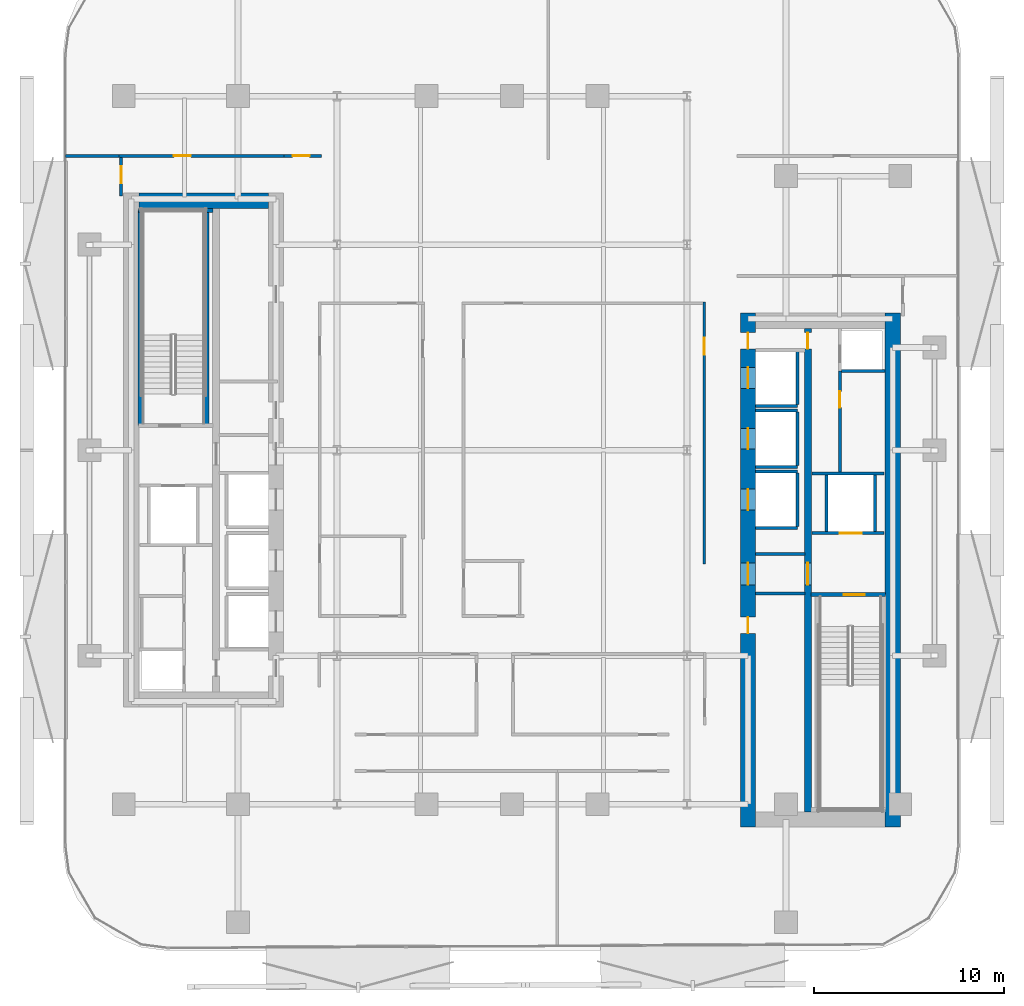
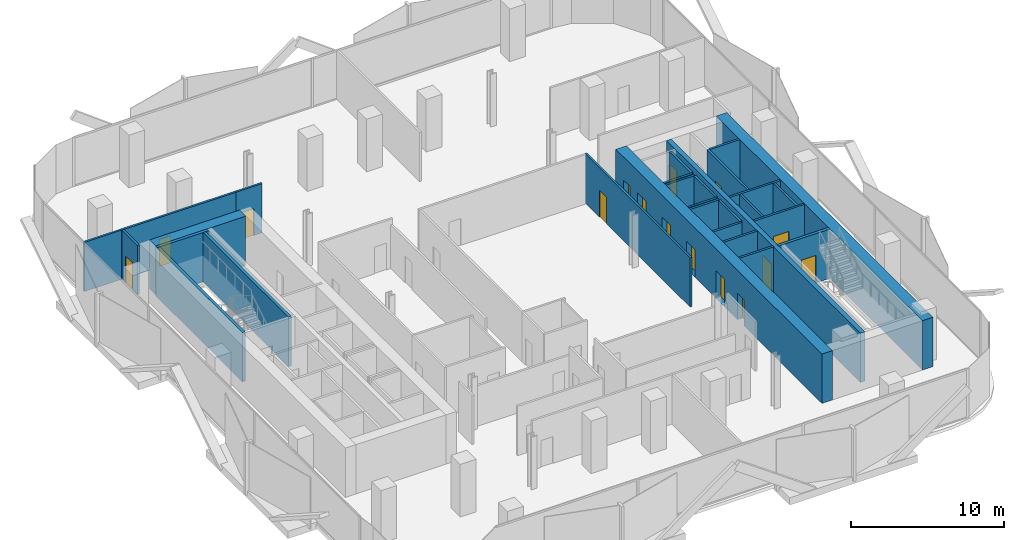
# One storey, part 5 of 15: 29 walls, 15 doors, 15 openings.
"""IFC4 building model written with IfcOpenShell, lengths in metres."""

import ifcopenshell
import ifcopenshell.guid

model = None  # the IFC model being written
_history = None  # IfcOwnerHistory: only IFC2X3 demands one
_inside = {}  # id of a spatial element -> (the spatial element, [elements in it])
_under = {}  # id of a project, library or spatial element -> (it, [spatial elements below it])
_declared = {}  # id of a project -> (the project, [libraries it declares])
_typed = {}  # id of a type object -> (the type object, [elements of that type])
_made_of = {}  # id of a material, layer set ... -> (it, [elements and type objects made of it])


def new_model(schema):
    """Start an empty IFC model of exactly this schema.

    Asked for "IFC4X3", IfcOpenShell would pick the latest addendum, in which some entities
    have other attributes; the version numbers below select the first issue.
    IFC2X3 requires an IfcOwnerHistory on every rooted entity: one is made here for all.
    """
    global model, _history
    if schema == "IFC4X3":
        model = ifcopenshell.file(schema_version=(4, 3, 0, 0))
    else:
        model = ifcopenshell.file(schema=schema)
    _inside.clear()
    _under.clear()
    _declared.clear()
    _typed.clear()
    _made_of.clear()
    _history = None
    if model.schema == "IFC2X3":
        org = make("IfcOrganization", Name="unknown")
        user = make(
            "IfcPersonAndOrganization",
            ThePerson=make("IfcPerson", FamilyName="unknown"),
            TheOrganization=org,
        )
        app = make(
            "IfcApplication",
            ApplicationDeveloper=org,
            Version="unknown",
            ApplicationFullName="unknown",
            ApplicationIdentifier="unknown",
        )
        _history = make(
            "IfcOwnerHistory",
            OwningUser=user,
            OwningApplication=app,
            ChangeAction="ADDED",
            CreationDate=0,
        )
    return model


def make(cls, **values):
    """One entity of the class cls with the attributes given. An attribute that is None is left unset."""
    return model.create_entity(
        cls, **{name: value for name, value in values.items() if value is not None}
    )


def rooted(cls, **values):
    """An entity with a GlobalId (a new one), such as an element, a storey or a relation."""
    return make(cls, GlobalId=ifcopenshell.guid.new(), OwnerHistory=_history, **values)


def si_unit(unit_type, name, prefix=None):
    """IfcSIUnit, for example si_unit("LENGTHUNIT", "METRE", prefix="MILLI")."""
    return make("IfcSIUnit", UnitType=unit_type, Prefix=prefix, Name=name)


def assignment(units):
    """IfcUnitAssignment: the units of a project."""
    return None if units is None else make("IfcUnitAssignment", Units=units)


def point(xyz):
    """IfcCartesianPoint."""
    return None if xyz is None else make("IfcCartesianPoint", Coordinates=xyz)


def direction(xyz):
    """IfcDirection."""
    return None if xyz is None else make("IfcDirection", DirectionRatios=xyz)


def frame(location, z_axis=None, x_axis=None):
    """IfcAxis2Placement3D, a coordinate frame: its origin and axes. An axis left out is left unset."""
    return make(
        "IfcAxis2Placement3D",
        Location=point(location),
        Axis=direction(z_axis),
        RefDirection=direction(x_axis),
    )


def frame_2d(location, x_axis=None):
    """IfcAxis2Placement2D, a coordinate frame in the plane: its origin and x axis."""
    return make(
        "IfcAxis2Placement2D", Location=point(location), RefDirection=direction(x_axis)
    )


def origin():
    """The frame at (0, 0, 0) with its axes left unset."""
    return frame((0.0, 0.0, 0.0))


def place(relative_to, where):
    """IfcLocalPlacement: puts the frame where relative to a parent placement (None: the world)."""
    return make(
        "IfcLocalPlacement", PlacementRelTo=relative_to, RelativePlacement=where
    )


def context(
    kind, dimensions, precision=None, world=None, true_north=None, identifier=None
):
    """IfcGeometricRepresentationContext, for example the 3D "Model" context."""
    return make(
        "IfcGeometricRepresentationContext",
        ContextIdentifier=identifier,
        ContextType=kind,
        CoordinateSpaceDimension=dimensions,
        Precision=precision,
        WorldCoordinateSystem=world,
        TrueNorth=true_north,
    )


def subcontext(parent, identifier, kind, view, scale=None):
    """IfcGeometricRepresentationSubContext, for example "Body" below "Model"."""
    return make(
        "IfcGeometricRepresentationSubContext",
        ContextIdentifier=identifier,
        ContextType=kind,
        ParentContext=parent,
        TargetScale=scale,
        TargetView=view,
    )


def project(units=None, contexts=None):
    """IfcProject with its units and contexts."""
    return rooted(
        "IfcProject",
        Name="project",
        RepresentationContexts=contexts,
        UnitsInContext=assignment(units),
    )


def spatial(cls, under=None, at=None, **own):
    """A site, building, storey or space (cls), placed at a placement, below another one or the project."""
    s = rooted(cls, ObjectPlacement=at, **own)
    if under is not None:
        _under.setdefault(under.id(), (under, []))[1].append(s)
    return s


def profile(cls, at=None, kind="AREA", **sizes):
    """A parametric profile (cls). Its sizes go by their IFC names, for example OverallWidth=200.0."""
    return make(cls, ProfileType=kind, Position=at, **sizes)


def rectangle(**sizes):
    """IfcRectangleProfileDef."""
    return profile("IfcRectangleProfileDef", **sizes)


def extrude(swept, where, along, depth):
    """IfcExtrudedAreaSolid: the profile swept, set in the frame where, extruded along a direction by depth."""
    return make(
        "IfcExtrudedAreaSolid",
        SweptArea=swept,
        Position=where,
        ExtrudedDirection=direction(along),
        Depth=depth,
    )


def shape(context_of_items, identifier, shape_type, items):
    """IfcShapeRepresentation: the items that make up one representation, for example the "Body"."""
    return make(
        "IfcShapeRepresentation",
        ContextOfItems=context_of_items,
        RepresentationIdentifier=identifier,
        RepresentationType=shape_type,
        Items=items,
    )


def material(Name=None, Category=None):
    """IfcMaterial."""
    return make("IfcMaterial", Name=Name, Category=Category)


def layer(
    of_material, thickness, ventilated=None, Name=None, Category=None, Priority=None
):
    """IfcMaterialLayer: one layer of a wall or slab, of a material (None: an air gap)."""
    return make(
        "IfcMaterialLayer",
        Material=of_material,
        LayerThickness=thickness,
        IsVentilated=ventilated,
        Name=Name,
        Category=Category,
        Priority=Priority,
    )


def layer_set(layers, Name=None):
    """IfcMaterialLayerSet."""
    return make("IfcMaterialLayerSet", MaterialLayers=layers, LayerSetName=Name)


def made_of(thing, what):
    """Note that an element or type object is made of a material, layer set ...; save() writes the relation."""
    if what is not None:
        _made_of.setdefault(what.id(), (what, []))[1].append(thing)
    return thing


def type_object(cls, material=None, **own):
    """A type object (cls), such as IfcWallType, which elements share."""
    return made_of(rooted(cls, **own), material)


def element(
    cls,
    number,
    at=None,
    inside=None,
    cuts=None,
    type_object=None,
    material=None,
    context=None,
    identifier="Body",
    shape_type=None,
    held_by="IfcProductDefinitionShape",
    body=None,
    shapes=None,
    **own,
):
    """One element of the class cls, such as IfcWall. Its Tag is "e" and its number.

    at: its placement. inside: the storey or other place that contains it. cuts: it is an
    opening in that element (IfcRelVoidsElement). A single representation is given by context,
    identifier, shape_type and body (its items); several are given by shapes. held_by: the class
    of the entity that holds the representations. save() writes the other relations.
    """
    e = rooted(cls, Tag="e%d" % number, ObjectPlacement=at, **own)
    if body is not None:
        shapes = [shape(context, identifier, shape_type, body)]
    if shapes is not None:
        e.Representation = make(held_by, Representations=shapes)
    if inside is not None:
        _inside.setdefault(inside.id(), (inside, []))[1].append(e)
    if cuts is not None:
        rooted(
            "IfcRelVoidsElement", RelatingBuildingElement=cuts, RelatedOpeningElement=e
        )
    if type_object is not None:
        _typed.setdefault(type_object.id(), (type_object, []))[1].append(e)
    return made_of(e, material)


def fill(opening, filler):
    """IfcRelFillsElement: the door or window that sits in an opening."""
    return rooted(
        "IfcRelFillsElement",
        RelatingOpeningElement=opening,
        RelatedBuildingElement=filler,
    )


def aggregate(whole, parts):
    """IfcRelAggregates: a whole, such as a stair, and the parts it consists of."""
    return rooted("IfcRelAggregates", RelatingObject=whole, RelatedObjects=parts)


def save(model, path):
    """Write the relations noted so far, then the file.

    IfcRelAggregates (storeys below a building ...), IfcRelContainedInSpatialStructure (elements
    in a storey), IfcRelDefinesByType, IfcRelAssociatesMaterial and IfcRelDeclares: one each for
    every whole, place, type object, material and project.
    """
    for whole, parts in _under.values():
        aggregate(whole, parts)
    for where, things in _inside.values():
        rooted(
            "IfcRelContainedInSpatialStructure",
            RelatedElements=things,
            RelatingStructure=where,
        )
    for kind, things in _typed.values():
        rooted("IfcRelDefinesByType", RelatedObjects=things, RelatingType=kind)
    for what, things in _made_of.values():
        rooted("IfcRelAssociatesMaterial", RelatedObjects=things, RelatingMaterial=what)
    for by, libraries in _declared.values():
        rooted("IfcRelDeclares", RelatingContext=by, RelatedDefinitions=libraries)
    model.write(path)


model = new_model("IFC4")

# Units and contexts
model_context = context("Model", 3, precision=1e-05, world=origin(), true_north=direction((0.0, 1.0)))
body_context = subcontext(model_context, "Body", "Model", "MODEL_VIEW")
ifc_project = project(units=[si_unit("LENGTHUNIT", "METRE"), si_unit("AREAUNIT", "SQUARE_METRE"), si_unit("VOLUMEUNIT", "CUBIC_METRE"), si_unit("PLANEANGLEUNIT", "RADIAN"), si_unit("MASSUNIT", "GRAM", prefix="KILO")], contexts=[model_context])

# Site, building, storey
site_placement = place(None, origin())
site = spatial("IfcSite", under=ifc_project, at=site_placement, CompositionType="ELEMENT")
building_placement = place(site_placement, origin())
building = spatial("IfcBuilding", under=site, at=building_placement, Name="Khairoan Windgate Tower", CompositionType="ELEMENT")
storey_placement = place(building_placement, frame((0.0, 0.0, 101.60009765625)))
storey = spatial("IfcBuildingStorey", under=building, at=storey_placement, Name="L23", CompositionType="ELEMENT", Elevation=101.60009765625)

# Walls
ifc_material_1 = material(Name="Concrete C40/50", Category="concrete")
ifc_layer_1 = layer(ifc_material_1, 0.159912109375, Name="Concrete C40/50")
ifc_layer_set_1 = layer_set([ifc_layer_1], Name="Concrete C40/50")
wall_type_1 = type_object("IfcWallType", Name="Core and Hoistway Enclosure Wall", PredefinedType="STANDARD", material=ifc_layer_set_1)
wall_1_placement = place(storey_placement, frame((12.800048828125, 2.31005859375, 0.0), z_axis=(0.0, 0.0, 1.0), x_axis=(1.0, 0.0, 0.0)))
element("IfcWall", 1, at=wall_1_placement, inside=storey, type_object=wall_type_1, Name="L23 Lift PL7 Hoistway Divider S", PredefinedType="STANDARD", context=body_context, shape_type="SweptSolid", body=[
    extrude(rectangle(XDim=2.18994140625, YDim=0.159912109375, at=frame_2d((1.094970703125, 0.0))), origin(), (0.0, 0.0, 1.0), 3.93994140625),
])
wall_2_placement = place(storey_placement, frame((14.989990234375, 2.39990234375, 0.0), z_axis=(0.0, 0.0, 1.0), x_axis=(0.0, 1.0, 0.0)))
element("IfcWall", 2, at=wall_2_placement, inside=storey, type_object=wall_type_1, Name="L23 Lift PL7 Hoistway Back Wall", PredefinedType="STANDARD", context=body_context, shape_type="SweptSolid", body=[
    extrude(rectangle(XDim=2.800048828125, YDim=0.159912109375, at=frame_2d((1.39990234375, 0.0))), origin(), (0.0, 0.0, 1.0), 3.93994140625),
])
for number, where, z_axis, x_axis, name in (
    (3, (12.800048828125, -0.889892578125, 0.0), (0.0, 0.0, 1.0), (1.0, 0.0, 0.0), "L23 Lift PL8 Hoistway Divider S"),
    (4, (12.800048828125, 2.090087890625, 0.0), (0.0, 0.0, 1.0), (1.0, 0.0, 0.0), "L23 Lift PL8 Hoistway Divider N"),
):
    element("IfcWall", number, at=place(storey_placement, frame(where, z_axis=z_axis, x_axis=x_axis)), inside=storey, type_object=wall_type_1, Name=name, PredefinedType="STANDARD", context=body_context, shape_type="SweptSolid", body=[
        extrude(rectangle(XDim=2.18994140625, YDim=0.159912109375, at=frame_2d((1.094970703125, 0.0))), origin(), (0.0, 0.0, 1.0), 3.93994140625),
    ])
wall_3_placement = place(storey_placement, frame((14.989990234375, -0.800048828125, 0.0), z_axis=(0.0, 0.0, 1.0), x_axis=(0.0, 1.0, 0.0)))
element("IfcWall", 5, at=wall_3_placement, inside=storey, type_object=wall_type_1, Name="L23 Lift PL8 Hoistway Back Wall", PredefinedType="STANDARD", context=body_context, shape_type="SweptSolid", body=[
    extrude(rectangle(XDim=2.800048828125, YDim=0.159912109375, at=frame_2d((1.39990234375, 0.0))), origin(), (0.0, 0.0, 1.0), 3.93994140625),
])
for number, where, z_axis, x_axis, name in (
    (6, (12.800048828125, -4.090087890625, 0.0), (0.0, 0.0, 1.0), (1.0, 0.0, 0.0), "L23 Lift PL9 Hoistway Divider S"),
    (7, (12.800048828125, -1.110107421875, 0.0), (0.0, 0.0, 1.0), (1.0, 0.0, 0.0), "L23 Lift PL9 Hoistway Divider N"),
):
    element("IfcWall", number, at=place(storey_placement, frame(where, z_axis=z_axis, x_axis=x_axis)), inside=storey, type_object=wall_type_1, Name=name, PredefinedType="STANDARD", context=body_context, shape_type="SweptSolid", body=[
        extrude(rectangle(XDim=2.18994140625, YDim=0.159912109375, at=frame_2d((1.094970703125, 0.0))), origin(), (0.0, 0.0, 1.0), 3.93994140625),
    ])
wall_4_placement = place(storey_placement, frame((14.989990234375, -4.0, 0.0), z_axis=(0.0, 0.0, 1.0), x_axis=(0.0, 1.0, 0.0)))
element("IfcWall", 8, at=wall_4_placement, inside=storey, type_object=wall_type_1, Name="L23 Lift PL9 Hoistway Back Wall", PredefinedType="STANDARD", context=body_context, shape_type="SweptSolid", body=[
    extrude(rectangle(XDim=2.800048828125, YDim=0.159912109375, at=frame_2d((1.39990234375, 0.0))), origin(), (0.0, 0.0, 1.0), 3.93994140625),
])

# Wall, opening, door
wall_5_placement = place(storey_placement, frame((15.75, -4.360107421875, 0.0), z_axis=(0.0, 0.0, 1.0), x_axis=(1.0, 0.0, 0.0)))
wall_5 = element("IfcWall", 9, at=wall_5_placement, inside=storey, type_object=wall_type_1, Name="L23 Core Shaft Wall SW-FL1-L23", PredefinedType="STANDARD", context=body_context, shape_type="SweptSolid", body=[
    extrude(rectangle(XDim=3.800048828125, YDim=0.159912109375, at=frame_2d((1.89990234375, 0.0))), origin(), (0.0, 0.0, 1.0), 3.93994140625),
])
opening_1_placement = place(wall_5_placement, frame((1.469970703125, 0.0, 0.0)))
opening_1 = element("IfcOpeningElement", 10, at=opening_1_placement, cuts=wall_5, Name="Opening LD-FL", PredefinedType="OPENING", context=body_context, shape_type="SweptSolid", body=[
    extrude(rectangle(XDim=1.14990234375, YDim=2.199951171875, at=frame_2d((0.574951171875, 1.10009765625))), frame((0.0, 0.08984375, 0.0), z_axis=(0.0, -1.0, 0.0), x_axis=(1.0, 0.0, 0.0)), (0.0, 0.0, 1.0), 0.179931640625),
])
ifc_material_2 = material(Name="Steel S355", Category="steel")
door_type_1 = type_object("IfcDoorType", Name="Firefighting Lift Sliding Landing Door LD-FL 1150x2200", OperationType="DOUBLE_DOOR_SLIDING", PredefinedType="DOOR", material=ifc_material_2)
door_1_placement = place(opening_1_placement, origin())
door_1 = element("IfcDoor", 11, at=door_1_placement, inside=storey, type_object=door_type_1, Name="L23 Firefighting Lift FL1 Landing Door", OperationType="DOUBLE_DOOR_SLIDING", OverallHeight=2.199951171875, OverallWidth=1.14990234375, PredefinedType="DOOR", context=body_context, shape_type="SweptSolid", body=[
    extrude(rectangle(XDim=1.14990234375, YDim=2.199951171875, at=frame_2d((0.574951171875, 1.10009765625))), frame((0.0, 0.02490234375, 0.0), z_axis=(0.0, -1.0, 0.0), x_axis=(1.0, 0.0, 0.0)), (0.0, 0.0, 1.0), 0.050048828125),
])
fill(opening_1, door_1)

# Walls
wall_6_placement = place(storey_placement, frame((15.75, -1.219970703125, 0.0), z_axis=(0.0, 0.0, 1.0), x_axis=(1.0, 0.0, 0.0)))
element("IfcWall", 12, at=wall_6_placement, inside=storey, type_object=wall_type_1, Name="L23 Core Shaft Wall SW-FL1T-L23", PredefinedType="STANDARD", context=body_context, shape_type="SweptSolid", body=[
    extrude(rectangle(XDim=3.800048828125, YDim=0.159912109375, at=frame_2d((1.89990234375, 0.0))), origin(), (0.0, 0.0, 1.0), 3.93994140625),
])
for number, where, z_axis, x_axis, name in (
    (13, (16.52001953125, -4.280029296875, 0.0), (0.0, 0.0, 1.0), (0.0, 1.0, 0.0), "L23 Core Shaft Wall SW-FL1W-L23"),
    (14, (19.080078125, -4.280029296875, 0.0), (0.0, 0.0, 1.0), (0.0, 1.0, 0.0), "L23 Core Shaft Wall SW-FL1E-L23"),
):
    element("IfcWall", number, at=place(storey_placement, frame(where, z_axis=z_axis, x_axis=x_axis)), inside=storey, type_object=wall_type_1, Name=name, PredefinedType="STANDARD", context=body_context, shape_type="SweptSolid", body=[
        extrude(rectangle(XDim=2.97998046875, YDim=0.159912109375, at=frame_2d((1.489990234375, 0.0))), origin(), (0.0, 0.0, 1.0), 3.93994140625),
    ])
for number, where, z_axis, x_axis, name in (
    (15, (12.800048828125, -5.449951171875, 0.0), (0.0, 0.0, 1.0), (1.0, 0.0, 0.0), "L23 Core Shaft Wall SW-EV1-L23"),
    (16, (12.800048828125, -7.5400390625, 0.0), (0.0, 0.0, 1.0), (1.0, 0.0, 0.0), "L23 Core Shaft Wall SW-EV2-L23"),
):
    element("IfcWall", number, at=place(storey_placement, frame(where, z_axis=z_axis, x_axis=x_axis)), inside=storey, type_object=wall_type_1, Name=name, PredefinedType="STANDARD", context=body_context, shape_type="SweptSolid", body=[
        extrude(rectangle(XDim=2.599853515625, YDim=0.159912109375, at=frame_2d((1.2998046875, 0.0))), origin(), (0.0, 0.0, 1.0), 3.93994140625),
    ])
ifc_material_3 = material(Name="Acoustic Fire-Rated Gypsum Partition", Category="gypsum")
ifc_layer_2 = layer(ifc_material_3, 0.139892578125, Name="Acoustic Fire-Rated Gypsum Partition")
ifc_layer_set_2 = layer_set([ifc_layer_2], Name="Acoustic Fire-Rated Gypsum Partition")
wall_type_2 = type_object("IfcWallType", Name="Inter-Tenancy Compartment Wall", PredefinedType="PARTITIONING", material=ifc_layer_set_2)
wall_7_placement = place(storey_placement, frame((-23.455078125, 15.4599609375, 0.0), z_axis=(0.0, 0.0, 1.0), x_axis=(1.0, 0.0, 0.0)))
element("IfcWall", 17, at=wall_7_placement, inside=storey, type_object=wall_type_2, Name="L23 Interior Partition 035", PredefinedType="PARTITIONING", context=body_context, shape_type="SweptSolid", body=[
    extrude(rectangle(XDim=2.815185546875, YDim=0.139892578125, at=frame_2d((1.40771484375, 0.0))), origin(), (0.0, 0.0, 1.0), 3.93994140625),
])

# Wall, opening, door
ifc_material_4 = material(Name="Concrete C40/50", Category="concrete")
ifc_layer_3 = layer(ifc_material_4, 0.159912109375, Name="Concrete C40/50")
ifc_layer_set_3 = layer_set([ifc_layer_3], Name="Concrete C40/50")
wall_type_3 = type_object("IfcWallType", Name="Plant and Refuge Compartment Wall", PredefinedType="PARTITIONING", material=ifc_layer_set_3)
wall_8_placement = place(storey_placement, frame((17.22998046875, -1.139892578125, 0.0), z_axis=(0.0, 0.0, 1.0), x_axis=(0.0, 1.0, 0.0)))
wall_8 = element("IfcWall", 18, at=wall_8_placement, inside=storey, type_object=wall_type_3, Name="L23 Interior Partition 008", PredefinedType="PARTITIONING", context=body_context, shape_type="SweptSolid", body=[
    extrude(rectangle(XDim=5.309814453125, YDim=0.159912109375, at=frame_2d((2.65478515625, 0.0))), origin(), (0.0, 0.0, 1.0), 3.93994140625),
])
opening_2_placement = place(wall_8_placement, frame((3.375244140625, 0.0, 0.0)))
opening_2 = element("IfcOpeningElement", 19, at=opening_2_placement, cuts=wall_8, Name="Opening FD-SRV", PredefinedType="OPENING", context=body_context, shape_type="SweptSolid", body=[
    extrude(rectangle(XDim=0.85009765625, YDim=2.10009765625, at=frame_2d((0.425048828125, 1.050048828125))), frame((0.0, 0.08984375, 0.0), z_axis=(0.0, -1.0, 0.0), x_axis=(1.0, 0.0, 0.0)), (0.0, 0.0, 1.0), 0.179931640625),
])
ifc_material_5 = material(Name="Steel S355", Category="steel")
door_type_2 = type_object("IfcDoorType", Name="Core Service and Riser Fire Door FD-SRV 850x2100", OperationType="NOTDEFINED", PredefinedType="DOOR", material=ifc_material_5)
door_2_placement = place(opening_2_placement, origin())
door_2 = element("IfcDoor", 20, at=door_2_placement, inside=storey, type_object=door_type_2, Name="L23 L23-18-L23-20 Door", OperationType="SINGLE_SWING_LEFT", OverallHeight=2.10009765625, OverallWidth=0.85009765625, PredefinedType="DOOR", context=body_context, shape_type="SweptSolid", body=[
    extrude(rectangle(XDim=0.85009765625, YDim=2.10009765625, at=frame_2d((0.425048828125, 1.050048828125))), frame((0.0, 0.02490234375, 0.0), z_axis=(0.0, -1.0, 0.0), x_axis=(1.0, 0.0, 0.0)), (0.0, 0.0, 1.0), 0.050048828125),
])
fill(opening_2, door_2)

# Wall
wall_9_placement = place(storey_placement, frame((17.31005859375, 4.169921875, 0.0), z_axis=(0.0, 0.0, 1.0), x_axis=(1.0, 0.0, 0.0)))
element("IfcWall", 21, at=wall_9_placement, inside=storey, type_object=wall_type_3, Name="L23 Interior Partition 009", PredefinedType="PARTITIONING", context=body_context, shape_type="SweptSolid", body=[
    extrude(rectangle(XDim=2.2900390625, YDim=0.159912109375, at=frame_2d((1.14501953125, 0.0))), origin(), (0.0, 0.0, 1.0), 3.93994140625),
])

# Wall, opening, door
ifc_material_6 = material(Name="Acoustic Fire-Rated Gypsum Partition", Category="gypsum")
ifc_layer_4 = layer(ifc_material_6, 0.14990234375, Name="Acoustic Fire-Rated Gypsum Partition")
ifc_layer_set_4 = layer_set([ifc_layer_4], Name="Acoustic Fire-Rated Gypsum Partition")
wall_type_4 = type_object("IfcWallType", Name="Rated Corridor Partition Wall", PredefinedType="PARTITIONING", material=ifc_layer_set_4)
wall_10_placement = place(storey_placement, frame((-11.989990234375, 15.4599609375, 0.0), z_axis=(0.0, 0.0, 1.0), x_axis=(1.0, 0.0, 0.0)))
wall_10 = element("IfcWall", 22, at=wall_10_placement, inside=storey, type_object=wall_type_4, Name="L23 Interior Partition 010", PredefinedType="PARTITIONING", context=body_context, shape_type="SweptSolid", body=[
    extrude(rectangle(XDim=1.97998046875, YDim=0.14990234375, at=frame_2d((0.989990234375, 0.0))), origin(), (0.0, 0.0, 1.0), 3.93994140625),
])
opening_3_placement = place(wall_10_placement, frame((0.4599609375, 0.0, 0.0)))
opening_3 = element("IfcOpeningElement", 23, at=opening_3_placement, cuts=wall_10, Name="Opening FD-ENT", PredefinedType="OPENING", context=body_context, shape_type="SweptSolid", body=[
    extrude(rectangle(XDim=0.89990234375, YDim=2.14990234375, at=frame_2d((0.449951171875, 1.074951171875))), frame((0.0, 0.0849609375, 0.0), z_axis=(0.0, -1.0, 0.0), x_axis=(1.0, 0.0, 0.0)), (0.0, 0.0, 1.0), 0.169921875),
])
ifc_material_7 = material(Name="Timber Fire-Rated Core", Category="wood")
door_type_3 = type_object("IfcDoorType", Name="Unit and Office Fire Entrance Door FD-ENT 900x2150", OperationType="NOTDEFINED", PredefinedType="DOOR", material=ifc_material_7)
door_3_placement = place(opening_3_placement, origin())
door_3 = element("IfcDoor", 24, at=door_3_placement, inside=storey, type_object=door_type_3, Name="L23 L23-27-L23-39 Door", OperationType="SINGLE_SWING_RIGHT", OverallHeight=2.14990234375, OverallWidth=0.89990234375, PredefinedType="DOOR", context=body_context, shape_type="SweptSolid", body=[
    extrude(rectangle(XDim=0.89990234375, YDim=2.14990234375, at=frame_2d((0.449951171875, 1.074951171875))), frame((0.0, 0.02490234375, 0.0), z_axis=(0.0, -1.0, 0.0), x_axis=(1.0, 0.0, 0.0)), (0.0, 0.0, 1.0), 0.050048828125),
])
fill(opening_3, door_3)

wall_11_placement = place(storey_placement, frame((10.10009765625, -5.97998046875, 0.0), z_axis=(0.0, 0.0, 1.0), x_axis=(0.0, 1.0, 0.0)))
wall_11 = element("IfcWall", 25, at=wall_11_placement, inside=storey, type_object=wall_type_4, Name="L23 Interior Partition 014", PredefinedType="PARTITIONING", context=body_context, shape_type="SweptSolid", body=[
    extrude(rectangle(XDim=13.77490234375, YDim=0.14990234375, at=frame_2d((6.887451171875, 0.0))), origin(), (0.0, 0.0, 1.0), 3.93994140625),
])
opening_4_placement = place(wall_11_placement, frame((10.99658203125, 0.0, 0.0)))
opening_4 = element("IfcOpeningElement", 26, at=opening_4_placement, cuts=wall_11, Name="Opening FD-ENT", PredefinedType="OPENING", context=body_context, shape_type="SweptSolid", body=[
    extrude(rectangle(XDim=0.89990234375, YDim=2.14990234375, at=frame_2d((0.449951171875, 1.074951171875))), frame((0.0, 0.0849609375, 0.0), z_axis=(0.0, -1.0, 0.0), x_axis=(1.0, 0.0, 0.0)), (0.0, 0.0, 1.0), 0.169921875),
])
door_4_placement = place(opening_4_placement, origin())
door_4 = element("IfcDoor", 27, at=door_4_placement, inside=storey, type_object=door_type_3, Name="L23 L23-28-L23-44 Door", OperationType="SINGLE_SWING_RIGHT", OverallHeight=2.14990234375, OverallWidth=0.89990234375, PredefinedType="DOOR", context=body_context, shape_type="SweptSolid", body=[
    extrude(rectangle(XDim=0.89990234375, YDim=2.14990234375, at=frame_2d((0.449951171875, 1.074951171875))), frame((0.0, 0.02490234375, 0.0), z_axis=(0.0, -1.0, 0.0), x_axis=(1.0, 0.0, 0.0)), (0.0, 0.0, 1.0), 0.050048828125),
])
fill(opening_4, door_4)

wall_12_placement = place(storey_placement, frame((-20.5400390625, 13.360107421875, 0.0), z_axis=(0.0, 0.0, 1.0), x_axis=(0.0, 1.0, 0.0)))
wall_12 = element("IfcWall", 28, at=wall_12_placement, inside=storey, type_object=wall_type_4, Name="L23 Interior Partition 025", PredefinedType="PARTITIONING", context=body_context, shape_type="SweptSolid", body=[
    extrude(rectangle(XDim=2.02490234375, YDim=0.14990234375, at=frame_2d((1.012451171875, 0.0))), origin(), (0.0, 0.0, 1.0), 3.93994140625),
])
opening_5_placement = place(wall_12_placement, frame((0.6650390625, 0.0, 0.0)))
opening_5 = element("IfcOpeningElement", 29, at=opening_5_placement, cuts=wall_12, Name="Opening FD-ENT", PredefinedType="OPENING", context=body_context, shape_type="SweptSolid", body=[
    extrude(rectangle(XDim=0.89990234375, YDim=2.14990234375, at=frame_2d((0.449951171875, 1.074951171875))), frame((0.0, 0.0849609375, 0.0), z_axis=(0.0, -1.0, 0.0), x_axis=(1.0, 0.0, 0.0)), (0.0, 0.0, 1.0), 0.169921875),
])
door_5_placement = place(opening_5_placement, origin())
door_5 = element("IfcDoor", 30, at=door_5_placement, inside=storey, type_object=door_type_3, Name="L23 L23-32-L23-36 Door", OperationType="SINGLE_SWING_LEFT", OverallHeight=2.14990234375, OverallWidth=0.89990234375, PredefinedType="DOOR", context=body_context, shape_type="SweptSolid", body=[
    extrude(rectangle(XDim=0.89990234375, YDim=2.14990234375, at=frame_2d((0.449951171875, 1.074951171875))), frame((0.0, 0.02490234375, 0.0), z_axis=(0.0, -1.0, 0.0), x_axis=(1.0, 0.0, 0.0)), (0.0, 0.0, 1.0), 0.050048828125),
])
fill(opening_5, door_5)

wall_13_placement = place(storey_placement, frame((-20.639892578125, 15.4599609375, 0.0), z_axis=(0.0, 0.0, 1.0), x_axis=(1.0, 0.0, 0.0)))
wall_13 = element("IfcWall", 31, at=wall_13_placement, inside=storey, type_object=wall_type_4, Name="L23 Interior Partition 026", PredefinedType="PARTITIONING", context=body_context, shape_type="SweptSolid", body=[
    extrude(rectangle(XDim=8.64990234375, YDim=0.14990234375, at=frame_2d((4.324951171875, 0.0))), origin(), (0.0, 0.0, 1.0), 3.93994140625),
])
opening_6_placement = place(wall_13_placement, frame((2.87060546875, 0.0, 0.0)))
opening_6 = element("IfcOpeningElement", 32, at=opening_6_placement, cuts=wall_13, Name="Opening FD-ENT", PredefinedType="OPENING", context=body_context, shape_type="SweptSolid", body=[
    extrude(rectangle(XDim=0.89990234375, YDim=2.14990234375, at=frame_2d((0.449951171875, 1.074951171875))), frame((0.0, 0.0849609375, 0.0), z_axis=(0.0, -1.0, 0.0), x_axis=(1.0, 0.0, 0.0)), (0.0, 0.0, 1.0), 0.169921875),
])
door_6_placement = place(opening_6_placement, origin())
door_6 = element("IfcDoor", 33, at=door_6_placement, inside=storey, type_object=door_type_3, Name="L23 L23-32-L23-39 Door", OperationType="SINGLE_SWING_RIGHT", OverallHeight=2.14990234375, OverallWidth=0.89990234375, PredefinedType="DOOR", context=body_context, shape_type="SweptSolid", body=[
    extrude(rectangle(XDim=0.89990234375, YDim=2.14990234375, at=frame_2d((0.449951171875, 1.074951171875))), frame((0.0, 0.02490234375, 0.0), z_axis=(0.0, -1.0, 0.0), x_axis=(1.0, 0.0, 0.0)), (0.0, 0.0, 1.0), 0.050048828125),
])
fill(opening_6, door_6)

# Wall, openings, doors
ifc_material_8 = material(Name="Concrete C70/85", Category="concrete")
ifc_layer_5 = layer(ifc_material_8, 0.800048828125, Name="Concrete C70/85")
ifc_layer_set_5 = layer_set([ifc_layer_5], Name="Concrete C70/85")
wall_type_5 = type_object("IfcWallType", Name="Shear Wall CW-E1 800mm", PredefinedType="SHEAR", material=ifc_layer_set_5)
wall_14_placement = place(storey_placement, frame((12.39990234375, -19.800048828125, 0.0), z_axis=(0.0, 0.0, 1.0), x_axis=(0.0, 1.0, 0.0)))
wall_14 = element("IfcWall", 34, at=wall_14_placement, inside=storey, type_object=wall_type_5, Name="E Core West Shear Wall L23", PredefinedType="SHEAR", context=body_context, shape_type="SweptSolid", body=[
    extrude(rectangle(XDim=27.0, YDim=0.800048828125, at=frame_2d((13.5, 0.0))), origin(), (0.0, 0.0, 1.0), 3.93994140625),
])
opening_7_placement = place(wall_14_placement, frame((23.050048828125, 0.0, 0.0)))
opening_7 = element("IfcOpeningElement", 35, at=opening_7_placement, cuts=wall_14, Name="Opening LD-PL", PredefinedType="OPENING", context=body_context, shape_type="SweptSolid", body=[
    extrude(rectangle(XDim=1.10009765625, YDim=2.199951171875, at=frame_2d((0.550048828125, 1.10009765625))), frame((0.0, 0.409912109375, 0.0), z_axis=(0.0, -1.0, 0.0), x_axis=(1.0, 0.0, 0.0)), (0.0, 0.0, 1.0), 0.820068359375),
])
opening_8_placement = place(wall_14_placement, frame((19.85009765625, 0.0, 0.0)))
opening_8 = element("IfcOpeningElement", 36, at=opening_8_placement, cuts=wall_14, Name="Opening LD-PL", PredefinedType="OPENING", context=body_context, shape_type="SweptSolid", body=[
    extrude(rectangle(XDim=1.10009765625, YDim=2.199951171875, at=frame_2d((0.550048828125, 1.10009765625))), frame((0.0, 0.409912109375, 0.0), z_axis=(0.0, -1.0, 0.0), x_axis=(1.0, 0.0, 0.0)), (0.0, 0.0, 1.0), 0.820068359375),
])
opening_9_placement = place(wall_14_placement, frame((16.64990234375, 0.0, 0.0)))
opening_9 = element("IfcOpeningElement", 37, at=opening_9_placement, cuts=wall_14, Name="Opening LD-PL", PredefinedType="OPENING", context=body_context, shape_type="SweptSolid", body=[
    extrude(rectangle(XDim=1.10009765625, YDim=2.199951171875, at=frame_2d((0.550048828125, 1.10009765625))), frame((0.0, 0.409912109375, 0.0), z_axis=(0.0, -1.0, 0.0), x_axis=(1.0, 0.0, 0.0)), (0.0, 0.0, 1.0), 0.820068359375),
])
opening_10_placement = place(wall_14_placement, frame((10.175048828125, 0.0, 0.0)))
opening_10 = element("IfcOpeningElement", 38, at=opening_10_placement, cuts=wall_14, Name="Opening FD-SRV", PredefinedType="OPENING", context=body_context, shape_type="SweptSolid", body=[
    extrude(rectangle(XDim=0.85009765625, YDim=2.10009765625, at=frame_2d((0.425048828125, 1.050048828125))), frame((0.0, 0.409912109375, 0.0), z_axis=(0.0, -1.0, 0.0), x_axis=(1.0, 0.0, 0.0)), (0.0, 0.0, 1.0), 0.820068359375),
])
opening_11_placement = place(wall_14_placement, frame((12.72509765625, 0.0, 0.0)))
opening_11 = element("IfcOpeningElement", 39, at=opening_11_placement, cuts=wall_14, Name="Opening FD-FFL", PredefinedType="OPENING", context=body_context, shape_type="SweptSolid", body=[
    extrude(rectangle(XDim=1.14990234375, YDim=2.199951171875, at=frame_2d((0.574951171875, 1.10009765625))), frame((0.0, 0.409912109375, 0.0), z_axis=(0.0, -1.0, 0.0), x_axis=(1.0, 0.0, 0.0)), (0.0, 0.0, 1.0), 0.820068359375),
])
opening_12_placement = place(wall_14_placement, frame((25.125, 0.0, 0.0)))
opening_12 = element("IfcOpeningElement", 40, at=opening_12_placement, cuts=wall_14, Name="Opening FD-SRV", PredefinedType="OPENING", context=body_context, shape_type="SweptSolid", body=[
    extrude(rectangle(XDim=0.85009765625, YDim=2.10009765625, at=frame_2d((0.425048828125, 1.050048828125))), frame((0.0, 0.409912109375, 0.0), z_axis=(0.0, -1.0, 0.0), x_axis=(1.0, 0.0, 0.0)), (0.0, 0.0, 1.0), 0.820068359375),
])
door_7_placement = place(opening_10_placement, origin())
door_7 = element("IfcDoor", 41, at=door_7_placement, inside=storey, type_object=door_type_2, Name="L23 East Core Service Room Door 1", OperationType="SINGLE_SWING_RIGHT", OverallHeight=2.10009765625, OverallWidth=0.85009765625, PredefinedType="DOOR", context=body_context, shape_type="SweptSolid", body=[
    extrude(rectangle(XDim=0.85009765625, YDim=2.10009765625, at=frame_2d((0.425048828125, 1.050048828125))), frame((0.0, 0.02490234375, 0.0), z_axis=(0.0, -1.0, 0.0), x_axis=(1.0, 0.0, 0.0)), (0.0, 0.0, 1.0), 0.050048828125),
])
fill(opening_10, door_7)
door_8_placement = place(opening_12_placement, origin())
door_8 = element("IfcDoor", 42, at=door_8_placement, inside=storey, type_object=door_type_2, Name="L23 East Core Service Vestibule Outer Door", OperationType="SINGLE_SWING_LEFT", OverallHeight=2.10009765625, OverallWidth=0.85009765625, PredefinedType="DOOR", context=body_context, shape_type="SweptSolid", body=[
    extrude(rectangle(XDim=0.85009765625, YDim=2.10009765625, at=frame_2d((0.425048828125, 1.050048828125))), frame((0.0, 0.02490234375, 0.0), z_axis=(0.0, -1.0, 0.0), x_axis=(1.0, 0.0, 0.0)), (0.0, 0.0, 1.0), 0.050048828125),
])
fill(opening_12, door_8)
ifc_material_9 = material(Name="Steel S355", Category="steel")
door_type_4 = type_object("IfcDoorType", Name="Firefighting Lobby Fire Door FD-FFL 1150x2200", OperationType="NOTDEFINED", PredefinedType="DOOR", material=ifc_material_9)
door_9_placement = place(opening_11_placement, origin())
door_9 = element("IfcDoor", 43, at=door_9_placement, inside=storey, type_object=door_type_4, Name="L23 East Core Vestibule Entry Door", OperationType="SINGLE_SWING_LEFT", OverallHeight=2.199951171875, OverallWidth=1.14990234375, PredefinedType="DOOR", context=body_context, shape_type="SweptSolid", body=[
    extrude(rectangle(XDim=1.14990234375, YDim=2.199951171875, at=frame_2d((0.574951171875, 1.10009765625))), frame((0.0, 0.02490234375, 0.0), z_axis=(0.0, -1.0, 0.0), x_axis=(1.0, 0.0, 0.0)), (0.0, 0.0, 1.0), 0.050048828125),
])
fill(opening_11, door_9)
ifc_material_10 = material(Name="Anodised Bronze Aluminium 6063-T6", Category="aluminium")
door_type_5 = type_object("IfcDoorType", Name="Passenger Lift Sliding Landing Door LD-PL 1100x2200", OperationType="DOUBLE_DOOR_SLIDING", PredefinedType="DOOR", material=ifc_material_10)
door_10_placement = place(opening_7_placement, origin())
door_10 = element("IfcDoor", 44, at=door_10_placement, inside=storey, type_object=door_type_5, Name="L23 Lift PL7 Sliding Landing Door", OperationType="DOUBLE_DOOR_SLIDING", OverallHeight=2.199951171875, OverallWidth=1.10009765625, PredefinedType="DOOR", context=body_context, shape_type="SweptSolid", body=[
    extrude(rectangle(XDim=1.10009765625, YDim=2.199951171875, at=frame_2d((0.550048828125, 1.10009765625))), frame((0.0, 0.02490234375, 0.0), z_axis=(0.0, -1.0, 0.0), x_axis=(1.0, 0.0, 0.0)), (0.0, 0.0, 1.0), 0.050048828125),
])
fill(opening_7, door_10)
door_11_placement = place(opening_8_placement, origin())
door_11 = element("IfcDoor", 45, at=door_11_placement, inside=storey, type_object=door_type_5, Name="L23 Lift PL8 Sliding Landing Door", OperationType="DOUBLE_DOOR_SLIDING", OverallHeight=2.199951171875, OverallWidth=1.10009765625, PredefinedType="DOOR", context=body_context, shape_type="SweptSolid", body=[
    extrude(rectangle(XDim=1.10009765625, YDim=2.199951171875, at=frame_2d((0.550048828125, 1.10009765625))), frame((0.0, 0.02490234375, 0.0), z_axis=(0.0, -1.0, 0.0), x_axis=(1.0, 0.0, 0.0)), (0.0, 0.0, 1.0), 0.050048828125),
])
fill(opening_8, door_11)
door_12_placement = place(opening_9_placement, origin())
door_12 = element("IfcDoor", 46, at=door_12_placement, inside=storey, type_object=door_type_5, Name="L23 Lift PL9 Sliding Landing Door", OperationType="DOUBLE_DOOR_SLIDING", OverallHeight=2.199951171875, OverallWidth=1.10009765625, PredefinedType="DOOR", context=body_context, shape_type="SweptSolid", body=[
    extrude(rectangle(XDim=1.10009765625, YDim=2.199951171875, at=frame_2d((0.550048828125, 1.10009765625))), frame((0.0, 0.02490234375, 0.0), z_axis=(0.0, -1.0, 0.0), x_axis=(1.0, 0.0, 0.0)), (0.0, 0.0, 1.0), 0.050048828125),
])
fill(opening_9, door_12)

# Walls
wall_15_placement = place(storey_placement, frame((20.0, -19.800048828125, 0.0), z_axis=(0.0, 0.0, 1.0), x_axis=(0.0, 1.0, 0.0)))
element("IfcWall", 47, at=wall_15_placement, inside=storey, type_object=wall_type_5, Name="E Core East Shear Wall L23", PredefinedType="SHEAR", context=body_context, shape_type="SweptSolid", body=[
    extrude(rectangle(XDim=27.0, YDim=0.800048828125, at=frame_2d((13.5, 0.0))), origin(), (0.0, 0.0, 1.0), 3.93994140625),
])
ifc_material_11 = material(Name="Concrete C70/85", Category="concrete")
ifc_layer_6 = layer(ifc_material_11, 0.800048828125, Name="Concrete C70/85")
ifc_layer_set_6 = layer_set([ifc_layer_6], Name="Concrete C70/85")
wall_type_6 = type_object("IfcWallType", Name="Shear Wall CW-W1 800mm", PredefinedType="SHEAR", material=ifc_layer_set_6)
wall_16_placement = place(storey_placement, frame((-19.60009765625, 13.10009765625, 0.0), z_axis=(0.0, 0.0, 1.0), x_axis=(1.0, 0.0, 0.0)))
element("IfcWall", 48, at=wall_16_placement, inside=storey, type_object=wall_type_6, Name="W Core North Shear Wall L23", PredefinedType="SHEAR", context=body_context, shape_type="SweptSolid", body=[
    extrude(rectangle(XDim=6.800048828125, YDim=0.800048828125, at=frame_2d((3.39990234375, 0.0))), origin(), (0.0, 0.0, 1.0), 3.93994140625),
])

# Wall, openings, doors
ifc_material_12 = material(Name="Concrete C60/75", Category="concrete")
ifc_layer_7 = layer(ifc_material_12, 0.35009765625, Name="Concrete C60/75")
ifc_layer_set_7 = layer_set([ifc_layer_7], Name="Concrete C60/75")
wall_type_7 = type_object("IfcWallType", Name="Shear Wall SW-1 350mm", PredefinedType="SHEAR", material=ifc_layer_set_7)
wall_17_placement = place(storey_placement, frame((15.550048828125, -19.0, 0.0), z_axis=(0.0, 0.0, 1.0), x_axis=(0.0, 1.0, 0.0)))
wall_17 = element("IfcWall", 49, at=wall_17_placement, inside=storey, type_object=wall_type_7, Name="E Core Spine Shear Wall L23", PredefinedType="SHEAR", context=body_context, shape_type="SweptSolid", body=[
    extrude(rectangle(XDim=25.39990234375, YDim=0.35009765625, at=frame_2d((12.699951171875, 0.0))), origin(), (0.0, 0.0, 1.0), 3.93994140625),
])
opening_13_placement = place(wall_17_placement, frame((11.925048828125, 0.0, 0.0)))
opening_13 = element("IfcOpeningElement", 50, at=opening_13_placement, cuts=wall_17, Name="Opening FD-FFL", PredefinedType="OPENING", context=body_context, shape_type="SweptSolid", body=[
    extrude(rectangle(XDim=1.14990234375, YDim=2.199951171875, at=frame_2d((0.574951171875, 1.10009765625))), frame((0.0, 0.18505859375, 0.0), z_axis=(0.0, -1.0, 0.0), x_axis=(1.0, 0.0, 0.0)), (0.0, 0.0, 1.0), 0.3701171875),
])
opening_14_placement = place(wall_17_placement, frame((24.324951171875, 0.0, 0.0)))
opening_14 = element("IfcOpeningElement", 51, at=opening_14_placement, cuts=wall_17, Name="Opening FD-SRV", PredefinedType="OPENING", context=body_context, shape_type="SweptSolid", body=[
    extrude(rectangle(XDim=0.85009765625, YDim=2.10009765625, at=frame_2d((0.425048828125, 1.050048828125))), frame((0.0, 0.18505859375, 0.0), z_axis=(0.0, -1.0, 0.0), x_axis=(1.0, 0.0, 0.0)), (0.0, 0.0, 1.0), 0.3701171875),
])
door_13_placement = place(opening_14_placement, origin())
door_13 = element("IfcDoor", 52, at=door_13_placement, inside=storey, type_object=door_type_2, Name="L23 East Core Service Passage Inner Door", OperationType="SINGLE_SWING_RIGHT", OverallHeight=2.10009765625, OverallWidth=0.85009765625, PredefinedType="DOOR", context=body_context, shape_type="SweptSolid", body=[
    extrude(rectangle(XDim=0.85009765625, YDim=2.10009765625, at=frame_2d((0.425048828125, 1.050048828125))), frame((0.0, 0.02490234375, 0.0), z_axis=(0.0, -1.0, 0.0), x_axis=(1.0, 0.0, 0.0)), (0.0, 0.0, 1.0), 0.050048828125),
])
fill(opening_14, door_13)
door_14_placement = place(opening_13_placement, origin())
door_14 = element("IfcDoor", 53, at=door_14_placement, inside=storey, type_object=door_type_4, Name="L23 East Firefighting Lobby Fire Door", OperationType="SINGLE_SWING_RIGHT", OverallHeight=2.199951171875, OverallWidth=1.14990234375, PredefinedType="DOOR", context=body_context, shape_type="SweptSolid", body=[
    extrude(rectangle(XDim=1.14990234375, YDim=2.199951171875, at=frame_2d((0.574951171875, 1.10009765625))), frame((0.0, 0.02490234375, 0.0), z_axis=(0.0, -1.0, 0.0), x_axis=(1.0, 0.0, 0.0)), (0.0, 0.0, 1.0), 0.050048828125),
])
fill(opening_13, door_14)

# Wall, opening, door
ifc_material_13 = material(Name="Concrete C50/60", Category="concrete")
ifc_layer_8 = layer(ifc_material_13, 0.219970703125, Name="Concrete C50/60")
ifc_layer_set_8 = layer_set([ifc_layer_8], Name="Concrete C50/60")
wall_type_8 = type_object("IfcWallType", Name="Shear Wall SW-ST 220mm", PredefinedType="SHEAR", material=ifc_layer_set_8)
wall_18_placement = place(storey_placement, frame((19.6201171875, -7.590087890625, 0.0), z_axis=(0.0, 0.0, 1.0), x_axis=(-1.0, 0.0, 0.0)))
wall_18 = element("IfcWall", 54, at=wall_18_placement, inside=storey, type_object=wall_type_8, Name="L23 Stair ST1 North Bearing Wall", PredefinedType="SHEAR", context=body_context, shape_type="SweptSolid", body=[
    extrude(rectangle(XDim=3.9150390625, YDim=0.219970703125, at=frame_2d((1.95751953125, 0.0))), origin(), (0.0, 0.0, 1.0), 3.93994140625),
])
opening_15_placement = place(wall_18_placement, frame((1.080078125, 0.0, 0.0)))
opening_15 = element("IfcOpeningElement", 55, at=opening_15_placement, cuts=wall_18, Name="Opening FD-ST", PredefinedType="OPENING", context=body_context, shape_type="SweptSolid", body=[
    extrude(rectangle(XDim=1.10009765625, YDim=2.199951171875, at=frame_2d((0.550048828125, 1.10009765625))), frame((0.0, 0.119873046875, 0.0), z_axis=(0.0, -1.0, 0.0), x_axis=(1.0, 0.0, 0.0)), (0.0, 0.0, 1.0), 0.239990234375),
])
ifc_material_14 = material(Name="Steel S355", Category="steel")
door_type_6 = type_object("IfcDoorType", Name="Smokeproof Stair Fire Door FD-ST 1100x2200", OperationType="NOTDEFINED", PredefinedType="DOOR", material=ifc_material_14)
door_15_placement = place(opening_15_placement, origin())
door_15 = element("IfcDoor", 56, at=door_15_placement, inside=storey, type_object=door_type_6, Name="L23 Stair ST1 Fire Door", OperationType="SINGLE_SWING_RIGHT", OverallHeight=2.199951171875, OverallWidth=1.10009765625, PredefinedType="DOOR", context=body_context, shape_type="SweptSolid", body=[
    extrude(rectangle(XDim=1.10009765625, YDim=2.199951171875, at=frame_2d((0.550048828125, 1.10009765625))), frame((0.0, 0.02490234375, 0.0), z_axis=(0.0, -1.0, 0.0), x_axis=(1.0, 0.0, 0.0)), (0.0, 0.0, 1.0), 0.050048828125),
])
fill(opening_15, door_15)

# Walls
for number, where, z_axis, x_axis, name in (
    (57, (-16.0400390625, 1.2900390625, 0.0), (0.0, 0.0, 1.0), (0.0, 1.0, 0.0), "L23 Stair ST2 East Bearing Wall"),
    (58, (-19.530029296875, 1.2900390625, 0.0), (0.0, 0.0, 1.0), (0.0, 1.0, 0.0), "L23 Stair ST2 West Bearing Wall"),
):
    element("IfcWall", number, at=place(storey_placement, frame(where, z_axis=z_axis, x_axis=x_axis)), inside=storey, type_object=wall_type_8, Name=name, PredefinedType="SHEAR", context=body_context, shape_type="SweptSolid", body=[
        extrude(rectangle(XDim=11.300048828125, YDim=0.219970703125, at=frame_2d((5.64990234375, 0.0))), origin(), (0.0, 0.0, 1.0), 3.93994140625),
    ])
wall_19_placement = place(storey_placement, frame((-19.6201171875, 12.590087890625, 0.0), z_axis=(0.0, 0.0, 1.0), x_axis=(1.0, 0.0, 0.0)))
element("IfcWall", 59, at=wall_19_placement, inside=storey, type_object=wall_type_8, Name="L23 Stair ST2 North Bearing Wall", PredefinedType="SHEAR", context=body_context, shape_type="SweptSolid", body=[
    extrude(rectangle(XDim=3.9150390625, YDim=0.219970703125, at=frame_2d((1.95751953125, 0.0))), origin(), (0.0, 0.0, 1.0), 3.93994140625),
])

save(model, "model.ifc")
